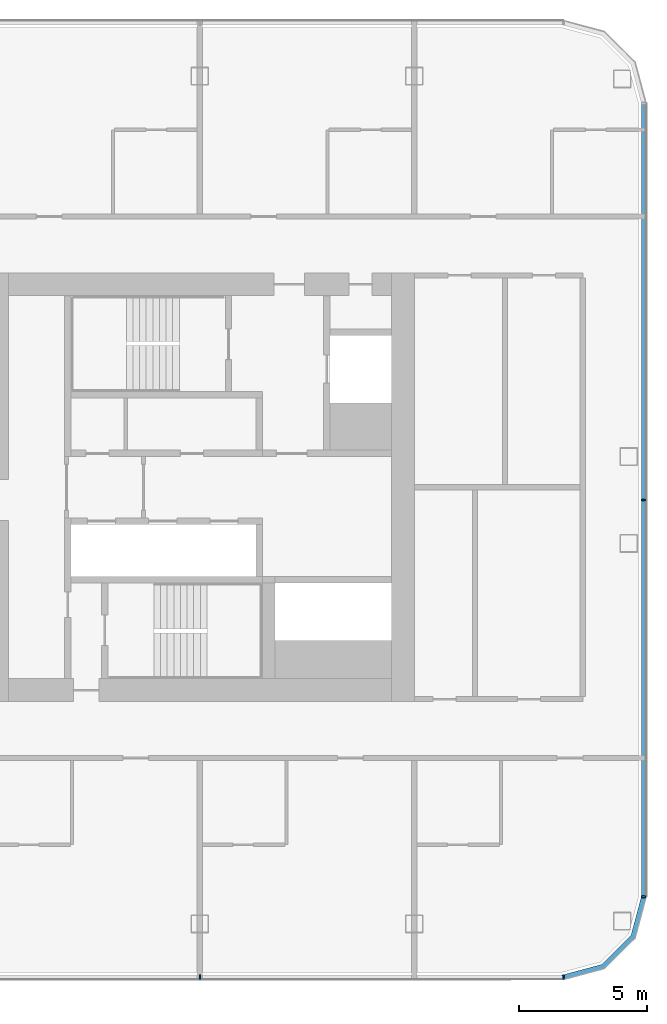
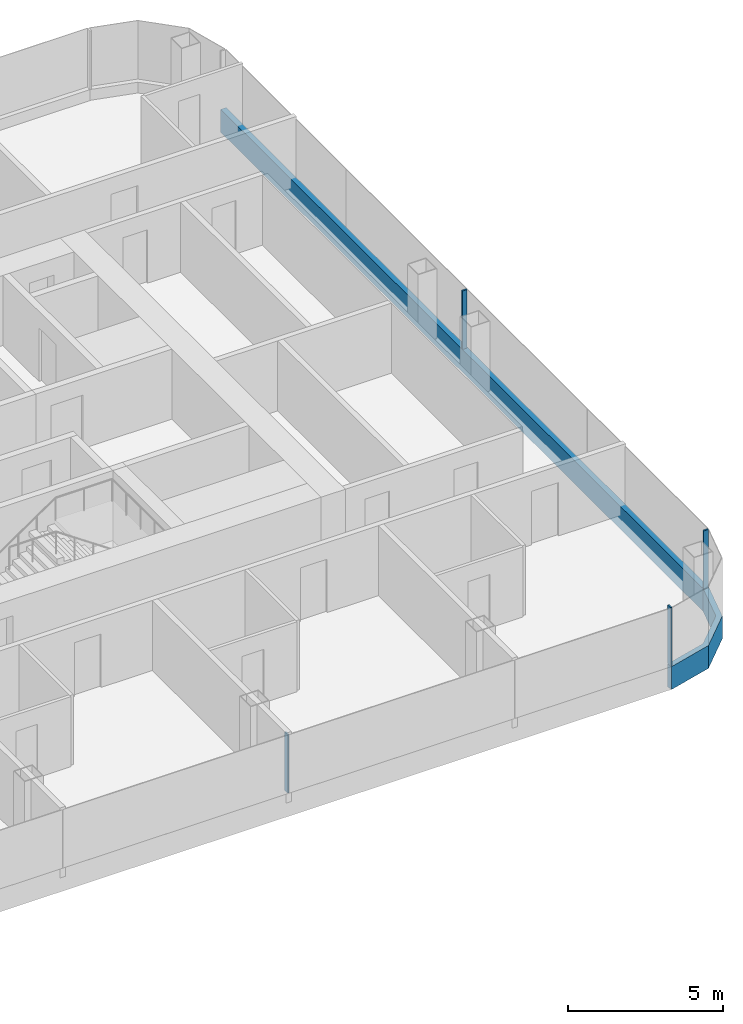
# One storey, part 9 of 26: 6 members, 3 elements without a shape of their own.
"""IFC4 building model written with IfcOpenShell, lengths in metres."""

from ifc_helpers import new_model, si_unit, direction, frame, origin, origin_2d, place, context, subcontext, project, spatial, polyline, rectangle, outline, extrude, material, layer, layer_set, material_profile, profile_set, type_object, element, aggregate, save


model = new_model("IFC4")

# Units and contexts
model_context = context("Model", 3, precision=1e-05, world=origin(), true_north=direction((0.0, 1.0)))
body_context = subcontext(model_context, "Body", "Model", "MODEL_VIEW")
ifc_project = project(units=[si_unit("LENGTHUNIT", "METRE"), si_unit("AREAUNIT", "SQUARE_METRE"), si_unit("VOLUMEUNIT", "CUBIC_METRE"), si_unit("PLANEANGLEUNIT", "RADIAN"), si_unit("MASSUNIT", "GRAM", prefix="KILO")], contexts=[model_context])

# Site, building, storey
site_placement = place(None, origin())
site = spatial("IfcSite", under=ifc_project, at=site_placement, CompositionType="ELEMENT")
building_placement = place(site_placement, origin())
building = spatial("IfcBuilding", under=site, at=building_placement, Name="Hakoniwa Tower and Hamabe Station Hall", CompositionType="ELEMENT")
storey_placement = place(building_placement, frame((0.0, 0.0, 131.0)))
storey = spatial("IfcBuildingStorey", under=building, at=storey_placement, Name="L36", CompositionType="ELEMENT", Elevation=131.0)

# Curtain wall, member
ifc_material_1 = material(Name="Dark low-e laminated glass", Category="glass")
ifc_layer = layer(ifc_material_1, 0.199951171875)
ifc_layer_set = layer_set([ifc_layer], Name="CW-1 UNITISED GUEST")
curtain_wall_type = type_object("IfcCurtainWallType", Name="CW-1 UNITISED GUEST", PredefinedType="NOTDEFINED", material=ifc_layer_set)
curtain_wall_1_placement = place(storey_placement, origin())
curtain_wall_1 = element("IfcCurtainWall", 1, at=curtain_wall_1_placement, inside=storey, type_object=curtain_wall_type, Name="CW-1 curtain wall", PredefinedType="NOTDEFINED")
ifc_material_2 = material(Name="Aluminium 6063-T5 black anodised", Category="aluminium")
ifc_material_profile_1 = material_profile(ifc_material_2, rectangle(XDim=0.199951171875, YDim=0.89990234375, at=origin_2d()), Name="CW SLAB-EDGE BAND 900X200")
ifc_profile_set_1 = profile_set([ifc_material_profile_1], Name="Aluminium 6063-T5 black anodised")
member_type_1 = type_object("IfcMemberType", Name="CW SLAB-EDGE BAND 900X200", PredefinedType="USERDEFINED", material=ifc_profile_set_1)
member_1_placement = place(storey_placement, frame((42.60009765625, -16.03955078125, -0.10009765625), z_axis=(0.0, 1.0, 0.0), x_axis=(-1.0, 0.0, 0.0)))
member_1 = element("IfcMember", 2, at=member_1_placement, type_object=member_type_1, Name="CW-1 transom", ObjectType="TRANSOM", PredefinedType="USERDEFINED", context=body_context, shape_type="SweptSolid", body=[
    extrude(rectangle(XDim=0.199951171875, YDim=0.89990234375, at=origin_2d()), origin(), (0.0, 0.0, 1.0), 31.0791015625),
])

curtain_wall_2_placement = place(storey_placement, origin())
curtain_wall_2 = element("IfcCurtainWall", 3, at=curtain_wall_2_placement, inside=storey, type_object=curtain_wall_type, Name="CW-1 curtain wall", PredefinedType="NOTDEFINED")
member_2_placement = place(storey_placement, frame((0.0, 0.0, -0.550048828125)))
member_2 = element("IfcMember", 4, at=member_2_placement, type_object=member_type_1, Name="CW-1 transom", ObjectType="TRANSOM", PredefinedType="USERDEFINED", context=body_context, shape_type="SweptSolid", body=[
    extrude(outline(polyline([(39.439453125, -19.300048828125), (41.05517578125, -18.866943359375), (42.26708984375, -17.6552734375), (42.699951171875, -16.03955078125), (42.5068359375, -15.98779296875), (42.087646484375, -17.5517578125), (40.95166015625, -18.687744140625), (39.3876953125, -19.10693359375), (39.439453125, -19.300048828125)])), origin(), (0.0, 0.0, 1.0), 0.900146484375),
])
aggregate(curtain_wall_2, [member_2])

# Member
ifc_material_3 = material(Name="Aluminium 6063-T5 black anodised", Category="aluminium")
ifc_material_profile_2 = material_profile(ifc_material_3, rectangle(XDim=0.06005859375, YDim=0.179931640625, at=origin_2d()), Name="CW-1 MULLION 60X180")
ifc_profile_set_2 = profile_set([ifc_material_profile_2], Name="Aluminium 6063-T5 black anodised")
member_type_2 = type_object("IfcMemberType", Name="CW-1 MULLION 60X180", PredefinedType="MULLION", material=ifc_profile_set_2)
member_3_placement = place(storey_placement, frame((42.58203125, -16.03955078125, 0.35009765625), z_axis=(0.0, 0.0, 1.0), x_axis=(0.0, 1.0, 0.0)))
member_3 = element("IfcMember", 5, at=member_3_placement, type_object=member_type_2, Name="CW-1 mullion", PredefinedType="MULLION", context=body_context, shape_type="SweptSolid", body=[
    extrude(rectangle(XDim=0.06005859375, YDim=0.179931640625, at=origin_2d()), origin(), (0.0, 0.0, 1.0), 2.2998046875),
])

member_4_placement = place(storey_placement, frame((42.58203125, -0.5, 0.35009765625), z_axis=(0.0, 0.0, 1.0), x_axis=(0.0, 1.0, 0.0)))
member_4 = element("IfcMember", 6, at=member_4_placement, type_object=member_type_2, Name="CW-1 mullion", PredefinedType="MULLION", context=body_context, shape_type="SweptSolid", body=[
    extrude(rectangle(XDim=0.06005859375, YDim=0.179931640625, at=origin_2d()), origin(), (0.0, 0.0, 1.0), 2.2998046875),
])

aggregate(curtain_wall_1, [member_3, member_4, member_1])

# Curtain wall, members
curtain_wall_3_placement = place(storey_placement, origin())
curtain_wall_3 = element("IfcCurtainWall", 7, at=curtain_wall_3_placement, inside=storey, type_object=curtain_wall_type, Name="CW-1 curtain wall", PredefinedType="NOTDEFINED")
member_5_placement = place(storey_placement, frame((25.199951171875, -19.181884765625, 0.35009765625), z_axis=(0.0, 0.0, 1.0), x_axis=(1.0, 0.0, 0.0)))
member_5 = element("IfcMember", 8, at=member_5_placement, type_object=member_type_2, Name="CW-1 mullion", PredefinedType="MULLION", context=body_context, shape_type="SweptSolid", body=[
    extrude(rectangle(XDim=0.06005859375, YDim=0.179931640625, at=origin_2d()), origin(), (0.0, 0.0, 1.0), 2.2998046875),
])
member_6_placement = place(storey_placement, frame((39.439453125, -19.181884765625, 0.35009765625), z_axis=(0.0, 0.0, 1.0), x_axis=(1.0, 0.0, 0.0)))
member_6 = element("IfcMember", 9, at=member_6_placement, type_object=member_type_2, Name="CW-1 mullion", PredefinedType="MULLION", context=body_context, shape_type="SweptSolid", body=[
    extrude(rectangle(XDim=0.06005859375, YDim=0.179931640625, at=origin_2d()), origin(), (0.0, 0.0, 1.0), 2.2998046875),
])
aggregate(curtain_wall_3, [member_5, member_6])

save(model, "model.ifc")
